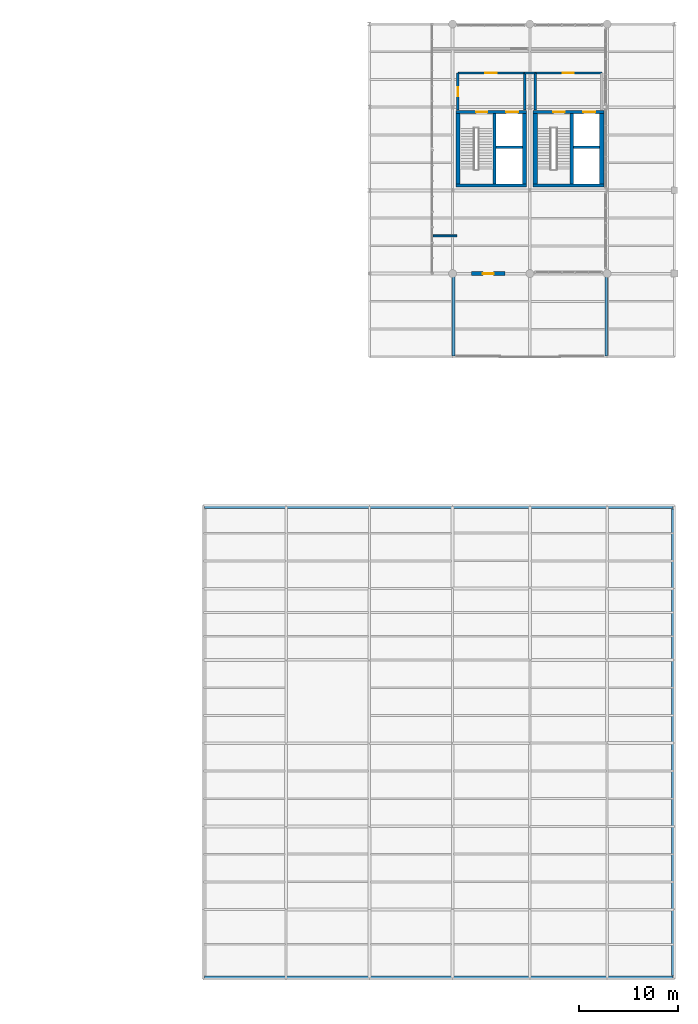
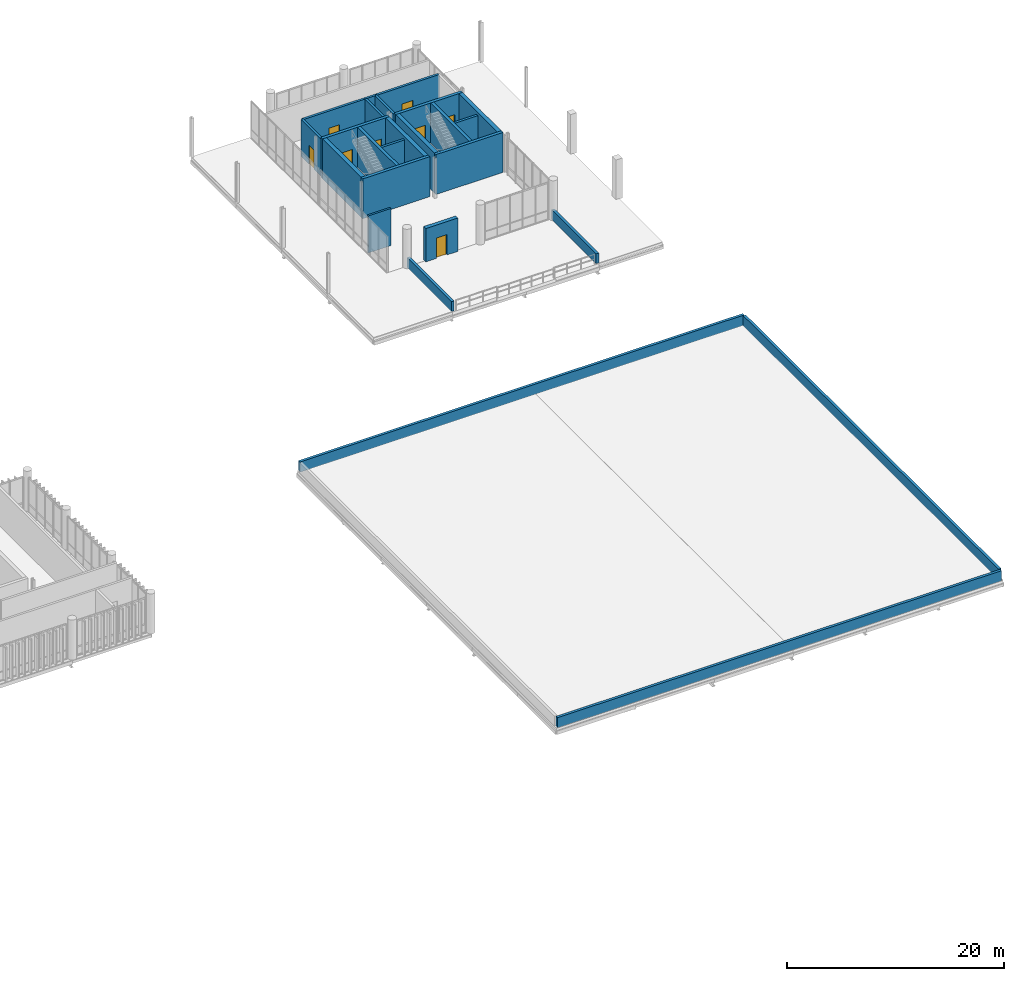
# One storey, part 59 of 68: 25 walls, 8 doors, 8 openings.
"""IFC4 building model written with IfcOpenShell, lengths in metres."""

import ifcopenshell
import ifcopenshell.guid

model = None  # the IFC model being written
_history = None  # IfcOwnerHistory: only IFC2X3 demands one
_inside = {}  # id of a spatial element -> (the spatial element, [elements in it])
_under = {}  # id of a project, library or spatial element -> (it, [spatial elements below it])
_declared = {}  # id of a project -> (the project, [libraries it declares])
_typed = {}  # id of a type object -> (the type object, [elements of that type])
_made_of = {}  # id of a material, layer set ... -> (it, [elements and type objects made of it])


def new_model(schema):
    """Start an empty IFC model of exactly this schema.

    Asked for "IFC4X3", IfcOpenShell would pick the latest addendum, in which some entities
    have other attributes; the version numbers below select the first issue.
    IFC2X3 requires an IfcOwnerHistory on every rooted entity: one is made here for all.
    """
    global model, _history
    if schema == "IFC4X3":
        model = ifcopenshell.file(schema_version=(4, 3, 0, 0))
    else:
        model = ifcopenshell.file(schema=schema)
    _inside.clear()
    _under.clear()
    _declared.clear()
    _typed.clear()
    _made_of.clear()
    _history = None
    if model.schema == "IFC2X3":
        org = make("IfcOrganization", Name="unknown")
        user = make(
            "IfcPersonAndOrganization",
            ThePerson=make("IfcPerson", FamilyName="unknown"),
            TheOrganization=org,
        )
        app = make(
            "IfcApplication",
            ApplicationDeveloper=org,
            Version="unknown",
            ApplicationFullName="unknown",
            ApplicationIdentifier="unknown",
        )
        _history = make(
            "IfcOwnerHistory",
            OwningUser=user,
            OwningApplication=app,
            ChangeAction="ADDED",
            CreationDate=0,
        )
    return model


def make(cls, **values):
    """One entity of the class cls with the attributes given. An attribute that is None is left unset."""
    return model.create_entity(
        cls, **{name: value for name, value in values.items() if value is not None}
    )


def rooted(cls, **values):
    """An entity with a GlobalId (a new one), such as an element, a storey or a relation."""
    return make(cls, GlobalId=ifcopenshell.guid.new(), OwnerHistory=_history, **values)


def si_unit(unit_type, name, prefix=None):
    """IfcSIUnit, for example si_unit("LENGTHUNIT", "METRE", prefix="MILLI")."""
    return make("IfcSIUnit", UnitType=unit_type, Prefix=prefix, Name=name)


def assignment(units):
    """IfcUnitAssignment: the units of a project."""
    return None if units is None else make("IfcUnitAssignment", Units=units)


def point(xyz):
    """IfcCartesianPoint."""
    return None if xyz is None else make("IfcCartesianPoint", Coordinates=xyz)


def direction(xyz):
    """IfcDirection."""
    return None if xyz is None else make("IfcDirection", DirectionRatios=xyz)


def frame(location, z_axis=None, x_axis=None):
    """IfcAxis2Placement3D, a coordinate frame: its origin and axes. An axis left out is left unset."""
    return make(
        "IfcAxis2Placement3D",
        Location=point(location),
        Axis=direction(z_axis),
        RefDirection=direction(x_axis),
    )


def frame_2d(location, x_axis=None):
    """IfcAxis2Placement2D, a coordinate frame in the plane: its origin and x axis."""
    return make(
        "IfcAxis2Placement2D", Location=point(location), RefDirection=direction(x_axis)
    )


def origin_with_axes():
    """The frame at (0, 0, 0) with the z axis (0, 0, 1) and the x axis (1, 0, 0) written out."""
    return frame((0.0, 0.0, 0.0), z_axis=(0.0, 0.0, 1.0), x_axis=(1.0, 0.0, 0.0))


def place(relative_to, where):
    """IfcLocalPlacement: puts the frame where relative to a parent placement (None: the world)."""
    return make(
        "IfcLocalPlacement", PlacementRelTo=relative_to, RelativePlacement=where
    )


def context(
    kind, dimensions, precision=None, world=None, true_north=None, identifier=None
):
    """IfcGeometricRepresentationContext, for example the 3D "Model" context."""
    return make(
        "IfcGeometricRepresentationContext",
        ContextIdentifier=identifier,
        ContextType=kind,
        CoordinateSpaceDimension=dimensions,
        Precision=precision,
        WorldCoordinateSystem=world,
        TrueNorth=true_north,
    )


def subcontext(parent, identifier, kind, view, scale=None):
    """IfcGeometricRepresentationSubContext, for example "Body" below "Model"."""
    return make(
        "IfcGeometricRepresentationSubContext",
        ContextIdentifier=identifier,
        ContextType=kind,
        ParentContext=parent,
        TargetScale=scale,
        TargetView=view,
    )


def project(units=None, contexts=None):
    """IfcProject with its units and contexts."""
    return rooted(
        "IfcProject",
        Name="project",
        RepresentationContexts=contexts,
        UnitsInContext=assignment(units),
    )


def spatial(cls, under=None, at=None, **own):
    """A site, building, storey or space (cls), placed at a placement, below another one or the project."""
    s = rooted(cls, ObjectPlacement=at, **own)
    if under is not None:
        _under.setdefault(under.id(), (under, []))[1].append(s)
    return s


def profile(cls, at=None, kind="AREA", **sizes):
    """A parametric profile (cls). Its sizes go by their IFC names, for example OverallWidth=200.0."""
    return make(cls, ProfileType=kind, Position=at, **sizes)


def rectangle(**sizes):
    """IfcRectangleProfileDef."""
    return profile("IfcRectangleProfileDef", **sizes)


def extrude(swept, where, along, depth):
    """IfcExtrudedAreaSolid: the profile swept, set in the frame where, extruded along a direction by depth."""
    return make(
        "IfcExtrudedAreaSolid",
        SweptArea=swept,
        Position=where,
        ExtrudedDirection=direction(along),
        Depth=depth,
    )


def shape(context_of_items, identifier, shape_type, items):
    """IfcShapeRepresentation: the items that make up one representation, for example the "Body"."""
    return make(
        "IfcShapeRepresentation",
        ContextOfItems=context_of_items,
        RepresentationIdentifier=identifier,
        RepresentationType=shape_type,
        Items=items,
    )


def material(Name=None, Category=None):
    """IfcMaterial."""
    return make("IfcMaterial", Name=Name, Category=Category)


def layer(
    of_material, thickness, ventilated=None, Name=None, Category=None, Priority=None
):
    """IfcMaterialLayer: one layer of a wall or slab, of a material (None: an air gap)."""
    return make(
        "IfcMaterialLayer",
        Material=of_material,
        LayerThickness=thickness,
        IsVentilated=ventilated,
        Name=Name,
        Category=Category,
        Priority=Priority,
    )


def layer_set(layers, Name=None):
    """IfcMaterialLayerSet."""
    return make("IfcMaterialLayerSet", MaterialLayers=layers, LayerSetName=Name)


def made_of(thing, what):
    """Note that an element or type object is made of a material, layer set ...; save() writes the relation."""
    if what is not None:
        _made_of.setdefault(what.id(), (what, []))[1].append(thing)
    return thing


def type_object(cls, material=None, **own):
    """A type object (cls), such as IfcWallType, which elements share."""
    return made_of(rooted(cls, **own), material)


def element(
    cls,
    number,
    at=None,
    inside=None,
    cuts=None,
    type_object=None,
    material=None,
    context=None,
    identifier="Body",
    shape_type=None,
    held_by="IfcProductDefinitionShape",
    body=None,
    shapes=None,
    **own,
):
    """One element of the class cls, such as IfcWall. Its Tag is "e" and its number.

    at: its placement. inside: the storey or other place that contains it. cuts: it is an
    opening in that element (IfcRelVoidsElement). A single representation is given by context,
    identifier, shape_type and body (its items); several are given by shapes. held_by: the class
    of the entity that holds the representations. save() writes the other relations.
    """
    e = rooted(cls, Tag="e%d" % number, ObjectPlacement=at, **own)
    if body is not None:
        shapes = [shape(context, identifier, shape_type, body)]
    if shapes is not None:
        e.Representation = make(held_by, Representations=shapes)
    if inside is not None:
        _inside.setdefault(inside.id(), (inside, []))[1].append(e)
    if cuts is not None:
        rooted(
            "IfcRelVoidsElement", RelatingBuildingElement=cuts, RelatedOpeningElement=e
        )
    if type_object is not None:
        _typed.setdefault(type_object.id(), (type_object, []))[1].append(e)
    return made_of(e, material)


def fill(opening, filler):
    """IfcRelFillsElement: the door or window that sits in an opening."""
    return rooted(
        "IfcRelFillsElement",
        RelatingOpeningElement=opening,
        RelatedBuildingElement=filler,
    )


def aggregate(whole, parts):
    """IfcRelAggregates: a whole, such as a stair, and the parts it consists of."""
    return rooted("IfcRelAggregates", RelatingObject=whole, RelatedObjects=parts)


def save(model, path):
    """Write the relations noted so far, then the file.

    IfcRelAggregates (storeys below a building ...), IfcRelContainedInSpatialStructure (elements
    in a storey), IfcRelDefinesByType, IfcRelAssociatesMaterial and IfcRelDeclares: one each for
    every whole, place, type object, material and project.
    """
    for whole, parts in _under.values():
        aggregate(whole, parts)
    for where, things in _inside.values():
        rooted(
            "IfcRelContainedInSpatialStructure",
            RelatedElements=things,
            RelatingStructure=where,
        )
    for kind, things in _typed.values():
        rooted("IfcRelDefinesByType", RelatedObjects=things, RelatingType=kind)
    for what, things in _made_of.values():
        rooted("IfcRelAssociatesMaterial", RelatedObjects=things, RelatingMaterial=what)
    for by, libraries in _declared.values():
        rooted("IfcRelDeclares", RelatingContext=by, RelatedDefinitions=libraries)
    model.write(path)


model = new_model("IFC4")

# Units and contexts
model_context = context("Model", 3, precision=1e-05, world=origin_with_axes(), true_north=direction((0.0, 1.0)))
body_context = subcontext(model_context, "Body", "Model", "MODEL_VIEW")
ifc_project = project(units=[si_unit("LENGTHUNIT", "METRE"), si_unit("AREAUNIT", "SQUARE_METRE"), si_unit("VOLUMEUNIT", "CUBIC_METRE"), si_unit("PLANEANGLEUNIT", "RADIAN"), si_unit("MASSUNIT", "GRAM", prefix="KILO"), si_unit("THERMODYNAMICTEMPERATUREUNIT", "KELVIN")], contexts=[model_context])

# Site, building, storey
site_placement = place(None, origin_with_axes())
site = spatial("IfcSite", under=ifc_project, at=site_placement, CompositionType="ELEMENT")
building_placement = place(site_placement, origin_with_axes())
building = spatial("IfcBuilding", under=site, at=building_placement, Name="Montbau Bow Law Courts", CompositionType="ELEMENT")
storey_placement = place(building_placement, frame((0.0, 0.0, 20.4), z_axis=(0.0, 0.0, 1.0), x_axis=(1.0, 0.0, 0.0)))
storey = spatial("IfcBuildingStorey", under=building, at=storey_placement, Name="L04", CompositionType="ELEMENT", Elevation=20.4)

# Walls
ifc_material_1 = material(Name="Concrete CSA A23.1 f'c 45 MPa", Category="concrete")
ifc_layer_1 = layer(ifc_material_1, 0.42, Name="Shear Wall", Category="concrete")
ifc_layer_set_1 = layer_set([ifc_layer_1], Name="Concrete CSA A23.1 f'c 45 MPa")
wall_type_1 = type_object("IfcWallType", Name="W-COR-03", PredefinedType="SHEAR", material=ifc_layer_set_1)
for number, where, z_axis, x_axis, name in (
    (1, (154.26, 87.04, 20.4), (0.0, 0.0, 1.0), (0.0, 1.0, 0.0), "WC-L04-0321:wal_0388"),
    (2, (147.54, 94.16, 20.4), (0.0, 0.0, 1.0), (0.0, -1.0, 0.0), "WC-L04-0322:wal_0389"),
    (3, (162.06, 87.04, 20.4), (0.0, 0.0, 1.0), (0.0, 1.0, 0.0), "WC-L04-0424:wal_0491"),
    (4, (155.34, 94.16, 20.4), (0.0, 0.0, 1.0), (0.0, -1.0, 0.0), "WC-L04-0425:wal_0492"),
):
    element("IfcWall", number, at=place(None, frame(where, z_axis=z_axis, x_axis=x_axis)), inside=storey, type_object=wall_type_1, Name=name, PredefinedType="SHEAR", context=body_context, shape_type="SweptSolid", body=[
        extrude(rectangle(XDim=7.11999999999999, YDim=0.42, at=frame_2d((3.56, 0.0), x_axis=(1.0, 0.0))), origin_with_axes(), (0.0, 0.0, 1.0), 4.5),
    ])
ifc_layer_2 = layer(ifc_material_1, 0.32, Name="Shear Wall", Category="concrete")
ifc_layer_set_2 = layer_set([ifc_layer_2], Name="Concrete CSA A23.1 f'c 45 MPa")
wall_type_2 = type_object("IfcWallType", Name="W-COR-05", PredefinedType="SHEAR", material=ifc_layer_set_2)
wall_1_placement = place(None, frame((147.33, 86.88, 20.4), z_axis=(0.0, 0.0, 1.0), x_axis=(1.0, 0.0, 0.0)))
element("IfcWall", 5, at=wall_1_placement, inside=storey, type_object=wall_type_2, Name="WC-L04-0319:wal_0386", PredefinedType="SHEAR", context=body_context, shape_type="SweptSolid", body=[
    extrude(rectangle(XDim=7.139999999999986, YDim=0.32, at=frame_2d((3.57, 0.0), x_axis=(1.0, 0.0))), origin_with_axes(), (0.0, 0.0, 1.0), 4.5),
])

# Wall, openings, doors
wall_2_placement = place(None, frame((154.47, 94.32, 20.4), z_axis=(0.0, 0.0, 1.0), x_axis=(-1.0, 0.0, 0.0)))
wall_2 = element("IfcWall", 6, at=wall_2_placement, inside=storey, type_object=wall_type_2, Name="WC-L04-0320:wal_0387", PredefinedType="SHEAR", context=body_context, shape_type="SweptSolid", body=[
    extrude(rectangle(XDim=7.139999999999986, YDim=0.32, at=frame_2d((3.57, 0.0), x_axis=(1.0, 0.0))), origin_with_axes(), (0.0, 0.0, 1.0), 4.5),
])
opening_1_placement = place(None, frame((149.95, 94.32, 20.4), z_axis=(0.0, 0.0, 1.0), x_axis=(-1.0, 0.0, 0.0)))
opening_1 = element("IfcOpeningElement", 7, at=opening_1_placement, cuts=wall_2, Name="OP-D-L04-ST-P2", PredefinedType="OPENING", context=body_context, shape_type="SweptSolid", body=[
    extrude(rectangle(XDim=1.14, YDim=2.18, at=frame_2d((0.0, 1.09), x_axis=(1.0, 0.0))), frame((0.0, 0.17, 0.0), z_axis=(0.0, -1.0, 0.0), x_axis=(1.0, 0.0, 0.0)), (0.0, 0.0, 1.0), 0.34),
])
opening_2_placement = place(None, frame((153.01, 94.32, 20.4), z_axis=(0.0, 0.0, 1.0), x_axis=(-1.0, 0.0, 0.0)))
opening_2 = element("IfcOpeningElement", 8, at=opening_2_placement, cuts=wall_2, Name="OP-LD-L04-EL-FF1", PredefinedType="OPENING", context=body_context, shape_type="SweptSolid", body=[
    extrude(rectangle(XDim=1.22, YDim=2.28, at=frame_2d((0.0, 1.14), x_axis=(1.0, 0.0))), frame((0.0, 0.17, 0.0), z_axis=(0.0, -1.0, 0.0), x_axis=(1.0, 0.0, 0.0)), (0.0, 0.0, 1.0), 0.34),
])
ifc_material_2 = material(Name="1.5 h Fire-Rated Hollow-Metal Exit Stair Door", Category="steel")
door_type_1 = type_object("IfcDoorType", Name="D-ST-01", OperationType="NOTDEFINED", ParameterTakesPrecedence=False, PredefinedType="DOOR", material=ifc_material_2)
door_1_placement = place(None, frame((149.95, 94.32, 20.4), z_axis=(0.0, 0.0, 1.0), x_axis=(1.0, 0.0, 0.0)))
door_1 = element("IfcDoor", 9, at=door_1_placement, inside=storey, type_object=door_type_1, Name="D-L04-ST-P2:dor_0159", OperationType="SINGLE_SWING_RIGHT", OverallHeight=2.18, OverallWidth=1.14, PredefinedType="DOOR", context=body_context, shape_type="SweptSolid", body=[
    extrude(rectangle(XDim=1.14, YDim=2.18, at=frame_2d((0.0, 1.09), x_axis=(1.0, 0.0))), frame((0.0, 0.04, 0.0), z_axis=(0.0, -1.0, 0.0), x_axis=(1.0, 0.0, 0.0)), (0.0, 0.0, 1.0), 0.08),
])
fill(opening_1, door_1)
ifc_material_3 = material(Name="CSA B44 Firefighters Elevator Landing Door", Category="steel")
door_type_2 = type_object("IfcDoorType", Name="LD-FFE-01", OperationType="NOTDEFINED", ParameterTakesPrecedence=False, PredefinedType="DOOR", material=ifc_material_3)
door_2_placement = place(None, frame((153.01, 94.32, 20.4), z_axis=(0.0, 0.0, 1.0), x_axis=(1.0, 0.0, 0.0)))
door_2 = element("IfcDoor", 10, at=door_2_placement, inside=storey, type_object=door_type_2, Name="LD-L04-EL-FF1:dor_0160", OperationType="SLIDING_TO_LEFT", OverallHeight=2.28, OverallWidth=1.22, PredefinedType="DOOR", context=body_context, shape_type="SweptSolid", body=[
    extrude(rectangle(XDim=1.22, YDim=2.28, at=frame_2d((0.0, 1.14), x_axis=(1.0, 0.0))), frame((0.0, 0.04, 0.0), z_axis=(0.0, -1.0, 0.0), x_axis=(1.0, 0.0, 0.0)), (0.0, 0.0, 1.0), 0.08),
])
fill(opening_2, door_2)

# Walls
wall_3_placement = place(None, frame((151.22, 87.04, 20.4), z_axis=(0.0, 0.0, 1.0), x_axis=(0.0, 1.0, 0.0)))
element("IfcWall", 11, at=wall_3_placement, inside=storey, type_object=wall_type_2, Name="WS-L04-0323:wal_0390", PredefinedType="SHEAR", context=body_context, shape_type="SweptSolid", body=[
    extrude(rectangle(XDim=7.11999999999999, YDim=0.32, at=frame_2d((3.56, 0.0), x_axis=(1.0, 0.0))), origin_with_axes(), (0.0, 0.0, 1.0), 4.5),
])
wall_4_placement = place(None, frame((155.13, 86.88, 20.4), z_axis=(0.0, 0.0, 1.0), x_axis=(1.0, 0.0, 0.0)))
element("IfcWall", 12, at=wall_4_placement, inside=storey, type_object=wall_type_2, Name="WC-L04-0422:wal_0489", PredefinedType="SHEAR", context=body_context, shape_type="SweptSolid", body=[
    extrude(rectangle(XDim=7.140000000000015, YDim=0.32, at=frame_2d((3.57, 0.0), x_axis=(1.0, 0.0))), origin_with_axes(), (0.0, 0.0, 1.0), 4.5),
])

# Wall, openings, doors
wall_5_placement = place(None, frame((162.27, 94.32, 20.4), z_axis=(0.0, 0.0, 1.0), x_axis=(-1.0, 0.0, 0.0)))
wall_5 = element("IfcWall", 13, at=wall_5_placement, inside=storey, type_object=wall_type_2, Name="WC-L04-0423:wal_0490", PredefinedType="SHEAR", context=body_context, shape_type="SweptSolid", body=[
    extrude(rectangle(XDim=7.140000000000015, YDim=0.32, at=frame_2d((3.57, 0.0), x_axis=(1.0, 0.0))), origin_with_axes(), (0.0, 0.0, 1.0), 4.5),
])
opening_3_placement = place(None, frame((157.75, 94.32, 20.4), z_axis=(0.0, 0.0, 1.0), x_axis=(-1.0, 0.0, 0.0)))
opening_3 = element("IfcOpeningElement", 14, at=opening_3_placement, cuts=wall_5, Name="OP-D-L04-ST-J2", PredefinedType="OPENING", context=body_context, shape_type="SweptSolid", body=[
    extrude(rectangle(XDim=1.14, YDim=2.18, at=frame_2d((0.0, 1.09), x_axis=(1.0, 0.0))), frame((0.0, 0.17, 0.0), z_axis=(0.0, -1.0, 0.0), x_axis=(1.0, 0.0, 0.0)), (0.0, 0.0, 1.0), 0.34),
])
opening_4_placement = place(None, frame((160.81, 94.32, 20.4), z_axis=(0.0, 0.0, 1.0), x_axis=(-1.0, 0.0, 0.0)))
opening_4 = element("IfcOpeningElement", 15, at=opening_4_placement, cuts=wall_5, Name="OP-LD-L04-EL-FF2", PredefinedType="OPENING", context=body_context, shape_type="SweptSolid", body=[
    extrude(rectangle(XDim=1.22, YDim=2.28, at=frame_2d((0.0, 1.14), x_axis=(1.0, 0.0))), frame((0.0, 0.17, 0.0), z_axis=(0.0, -1.0, 0.0), x_axis=(1.0, 0.0, 0.0)), (0.0, 0.0, 1.0), 0.34),
])
door_3_placement = place(None, frame((157.75, 94.32, 20.4), z_axis=(0.0, 0.0, 1.0), x_axis=(1.0, 0.0, 0.0)))
door_3 = element("IfcDoor", 16, at=door_3_placement, inside=storey, type_object=door_type_1, Name="D-L04-ST-J2:dor_0197", OperationType="SINGLE_SWING_RIGHT", OverallHeight=2.18, OverallWidth=1.14, PredefinedType="DOOR", context=body_context, shape_type="SweptSolid", body=[
    extrude(rectangle(XDim=1.14, YDim=2.18, at=frame_2d((0.0, 1.09), x_axis=(1.0, 0.0))), frame((0.0, 0.04, 0.0), z_axis=(0.0, -1.0, 0.0), x_axis=(1.0, 0.0, 0.0)), (0.0, 0.0, 1.0), 0.08),
])
fill(opening_3, door_3)
door_4_placement = place(None, frame((160.81, 94.32, 20.4), z_axis=(0.0, 0.0, 1.0), x_axis=(1.0, 0.0, 0.0)))
door_4 = element("IfcDoor", 17, at=door_4_placement, inside=storey, type_object=door_type_2, Name="LD-L04-EL-FF2:dor_0198", OperationType="SLIDING_TO_LEFT", OverallHeight=2.28, OverallWidth=1.22, PredefinedType="DOOR", context=body_context, shape_type="SweptSolid", body=[
    extrude(rectangle(XDim=1.22, YDim=2.28, at=frame_2d((0.0, 1.14), x_axis=(1.0, 0.0))), frame((0.0, 0.04, 0.0), z_axis=(0.0, -1.0, 0.0), x_axis=(1.0, 0.0, 0.0)), (0.0, 0.0, 1.0), 0.08),
])
fill(opening_4, door_4)

# Wall
wall_6_placement = place(None, frame((159.02, 87.04, 20.4), z_axis=(0.0, 0.0, 1.0), x_axis=(0.0, 1.0, 0.0)))
element("IfcWall", 18, at=wall_6_placement, inside=storey, type_object=wall_type_2, Name="WS-L04-0426:wal_0493", PredefinedType="SHEAR", context=body_context, shape_type="SweptSolid", body=[
    extrude(rectangle(XDim=7.11999999999999, YDim=0.32, at=frame_2d((3.56, 0.0), x_axis=(1.0, 0.0))), origin_with_axes(), (0.0, 0.0, 1.0), 4.5),
])

# Wall, opening, door
ifc_material_4 = material(Name="Polychrome Glazed Ceramic Rainscreen Insulated Wall", Category="masonry")
ifc_layer_3 = layer(ifc_material_4, 0.4, Name="Solid Wall", Category="masonry")
ifc_layer_set_3 = layer_set([ifc_layer_3], Name="Polychrome Glazed Ceramic Rainscreen Insulated Wall")
wall_type_3 = type_object("IfcWallType", Name="W-EXT-04", PredefinedType="SOLIDWALL", material=ifc_layer_set_3)
wall_7_placement = place(None, frame((148.9, 78.0, 20.4), z_axis=(0.0, 0.0, 1.0), x_axis=(1.0, 0.0, 0.0)))
wall_7 = element("IfcWall", 19, at=wall_7_placement, inside=storey, type_object=wall_type_3, Name="WE-L04-035:wal_0052", PredefinedType="SOLIDWALL", context=body_context, shape_type="SweptSolid", body=[
    extrude(rectangle(XDim=3.4000000000000057, YDim=0.4, at=frame_2d((1.7, 0.0), x_axis=(1.0, 0.0))), origin_with_axes(), (0.0, 0.0, 1.0), 3.764),
])
opening_5_placement = place(None, frame((150.6, 78.0, 20.4), z_axis=(0.0, 0.0, 1.0), x_axis=(1.0, 0.0, 0.0)))
opening_5 = element("IfcOpeningElement", 20, at=opening_5_placement, cuts=wall_7, Name="OP-D-TER-04", PredefinedType="OPENING", context=body_context, shape_type="SweptSolid", body=[
    extrude(rectangle(XDim=1.1, YDim=2.3, at=frame_2d((0.0, 1.15), x_axis=(1.0, 0.0))), frame((0.0, 0.21, 0.0), z_axis=(0.0, -1.0, 0.0), x_axis=(1.0, 0.0, 0.0)), (0.0, 0.0, 1.0), 0.42),
])
ifc_material_5 = material(Name="Thermally Broken Glazed Terrace Access Door", Category="aluminium")
door_type_3 = type_object("IfcDoorType", Name="D-EXT-06", OperationType="NOTDEFINED", ParameterTakesPrecedence=False, PredefinedType="DOOR", material=ifc_material_5)
door_5_placement = place(None, frame((150.6, 78.0, 20.4), z_axis=(0.0, 0.0, 1.0), x_axis=(1.0, 0.0, 0.0)))
door_5 = element("IfcDoor", 21, at=door_5_placement, inside=storey, type_object=door_type_3, Name="D-TER-04:dor_0027", OperationType="SINGLE_SWING_LEFT", OverallHeight=2.3, OverallWidth=1.1, PredefinedType="DOOR", context=body_context, shape_type="SweptSolid", body=[
    extrude(rectangle(XDim=1.1, YDim=2.3, at=frame_2d((0.0, 1.15), x_axis=(1.0, 0.0))), frame((0.0, 0.04, 0.0), z_axis=(0.0, -1.0, 0.0), x_axis=(1.0, 0.0, 0.0)), (0.0, 0.0, 1.0), 0.08),
])
fill(opening_5, door_5)

# Walls
ifc_material_6 = material(Name="Insulated Terracotta-Coping Terrace Parapet Assembly", Category="masonry")
ifc_layer_4 = layer(ifc_material_6, 0.28, Name="Parapet", Category="masonry")
ifc_layer_set_4 = layer_set([ifc_layer_4], Name="Insulated Terracotta-Coping Terrace Parapet Assembly")
wall_type_4 = type_object("IfcWallType", Name="W-PAR-02", PredefinedType="PARAPET", material=ifc_layer_set_4)
for number, where, z_axis, x_axis, name in (
    (22, (147.1, 69.7, 20.4), (0.0, 0.0, 1.0), (0.0, 1.0, 0.0), "PAR-TER-L04-V5-1:par_0004"),
    (23, (162.5, 77.896, 20.4), (0.0, 0.0, 1.0), (0.0, -1.0, 0.0), "PAR-TER-L04-V5-3:par_0005"),
):
    element("IfcWall", number, at=place(None, frame(where, z_axis=z_axis, x_axis=x_axis)), inside=storey, type_object=wall_type_4, Name=name, PredefinedType="PARAPET", context=body_context, shape_type="SweptSolid", body=[
        extrude(rectangle(XDim=8.195999999999998, YDim=0.28, at=frame_2d((4.098, 0.0), x_axis=(1.0, 0.0))), origin_with_axes(), (0.0, 0.0, 1.0), 1.12),
    ])
wall_8_placement = place(None, frame((121.95, 6.95, 20.4), z_axis=(0.0, 0.0, 1.0), x_axis=(1.0, 0.0, 0.0)))
element("IfcWall", 24, at=wall_8_placement, inside=storey, type_object=wall_type_4, Name="PAR-L04-08:par_0017", PredefinedType="PARAPET", context=body_context, shape_type="SweptSolid", body=[
    extrude(rectangle(XDim=47.3, YDim=0.28, at=frame_2d((23.65, 0.0), x_axis=(1.0, 0.0))), origin_with_axes(), (0.0, 0.0, 1.0), 1.15),
])
wall_9_placement = place(None, frame((169.25, 7.15, 20.4), z_axis=(0.0, 0.0, 1.0), x_axis=(0.0, 1.0, 0.0)))
element("IfcWall", 25, at=wall_9_placement, inside=storey, type_object=wall_type_4, Name="PAR-L04-09:par_0018", PredefinedType="PARAPET", context=body_context, shape_type="SweptSolid", body=[
    extrude(rectangle(XDim=47.1, YDim=0.28, at=frame_2d((23.55, 0.0), x_axis=(1.0, 0.0))), origin_with_axes(), (0.0, 0.0, 1.0), 1.15),
])
wall_10_placement = place(None, frame((169.25, 54.45, 20.4), z_axis=(0.0, 0.0, 1.0), x_axis=(-1.0, 0.0, 0.0)))
element("IfcWall", 26, at=wall_10_placement, inside=storey, type_object=wall_type_4, Name="PAR-L04-10:par_0019", PredefinedType="PARAPET", context=body_context, shape_type="SweptSolid", body=[
    extrude(rectangle(XDim=47.3, YDim=0.28, at=frame_2d((23.65, 0.0), x_axis=(1.0, 0.0))), origin_with_axes(), (0.0, 0.0, 1.0), 1.15),
])
ifc_material_7 = material(Name="2 h Shaft and Exit-Passage Fire Separation Partition", Category="gypsum")
ifc_layer_5 = layer(ifc_material_7, 0.25, Name="Partition", Category="gypsum")
ifc_layer_set_5 = layer_set([ifc_layer_5], Name="2 h Shaft and Exit-Passage Fire Separation Partition")
wall_type_5 = type_object("IfcWallType", Name="W-PRT-01", PredefinedType="PARTITIONING", material=ifc_layer_set_5)
wall_11_placement = place(None, frame((151.38, 90.749, 20.4), z_axis=(0.0, 0.0, 1.0), x_axis=(1.0, 0.0, 0.0)))
element("IfcWall", 27, at=wall_11_placement, inside=storey, type_object=wall_type_5, Name="WS-L04-0324:wal_0391", PredefinedType="PARTITIONING", context=body_context, shape_type="SweptSolid", body=[
    extrude(rectangle(XDim=2.670000000000016, YDim=0.25, at=frame_2d((1.335, 0.0), x_axis=(1.0, 0.0))), origin_with_axes(), (0.0, 0.0, 1.0), 4.18),
])

# Wall, opening, door
wall_12_placement = place(None, frame((154.26, 98.25, 20.4), z_axis=(0.0, 0.0, 1.0), x_axis=(-1.0, 0.0, 0.0)))
wall_12 = element("IfcWall", 28, at=wall_12_placement, inside=storey, type_object=wall_type_5, Name="WFF-L04-0325:wal_0392", PredefinedType="PARTITIONING", context=body_context, shape_type="SweptSolid", body=[
    extrude(rectangle(XDim=6.719999999999999, YDim=0.25, at=frame_2d((3.36, 0.0), x_axis=(1.0, 0.0))), origin_with_axes(), (0.0, 0.0, 1.0), 4.18),
])
opening_6_placement = place(None, frame((150.875, 98.25, 20.4), z_axis=(0.0, 0.0, 1.0), x_axis=(-1.0, 0.0, 0.0)))
opening_6 = element("IfcOpeningElement", 29, at=opening_6_placement, cuts=wall_12, Name="OP-D-L04-FFL5", PredefinedType="OPENING", context=body_context, shape_type="SweptSolid", body=[
    extrude(rectangle(XDim=1.15, YDim=2.25, at=frame_2d((0.0, 1.125), x_axis=(1.0, 0.0))), frame((0.0, 0.135, 0.0), z_axis=(0.0, -1.0, 0.0), x_axis=(1.0, 0.0, 0.0)), (0.0, 0.0, 1.0), 0.27),
])
ifc_material_8 = material(Name="1.5 h Smoke-Sealed Firefighters Lobby Door", Category="steel")
door_type_4 = type_object("IfcDoorType", Name="D-FFL-01", OperationType="NOTDEFINED", ParameterTakesPrecedence=False, PredefinedType="DOOR", material=ifc_material_8)
door_6_placement = place(None, frame((150.875, 98.25, 20.4), z_axis=(0.0, 0.0, 1.0), x_axis=(1.0, 0.0, 0.0)))
door_6 = element("IfcDoor", 30, at=door_6_placement, inside=storey, type_object=door_type_4, Name="D-L04-FFL5:dor_0161", OperationType="SINGLE_SWING_RIGHT", OverallHeight=2.25, OverallWidth=1.15, PredefinedType="DOOR", context=body_context, shape_type="SweptSolid", body=[
    extrude(rectangle(XDim=1.15, YDim=2.25, at=frame_2d((0.0, 1.125), x_axis=(1.0, 0.0))), frame((0.0, 0.04, 0.0), z_axis=(0.0, -1.0, 0.0), x_axis=(1.0, 0.0, 0.0)), (0.0, 0.0, 1.0), 0.08),
])
fill(opening_6, door_6)

wall_13_placement = place(None, frame((147.54, 94.5, 20.4), z_axis=(0.0, 0.0, 1.0), x_axis=(0.0, 1.0, 0.0)))
wall_13 = element("IfcWall", 31, at=wall_13_placement, inside=storey, type_object=wall_type_5, Name="WFF-L04-0326:wal_0393", PredefinedType="PARTITIONING", context=body_context, shape_type="SweptSolid", body=[
    extrude(rectangle(XDim=3.75, YDim=0.25, at=frame_2d((1.875, 0.0), x_axis=(1.0, 0.0))), origin_with_axes(), (0.0, 0.0, 1.0), 4.18),
])
opening_7_placement = place(None, frame((147.54, 96.375, 20.4), z_axis=(0.0, 0.0, 1.0), x_axis=(0.0, 1.0, 0.0)))
opening_7 = element("IfcOpeningElement", 32, at=opening_7_placement, cuts=wall_13, Name="OP-D-L04-353", PredefinedType="OPENING", context=body_context, shape_type="SweptSolid", body=[
    extrude(rectangle(XDim=0.92, YDim=2.14, at=frame_2d((0.0, 1.07), x_axis=(1.0, 0.0))), frame((0.0, 0.135, 0.0), z_axis=(0.0, -1.0, 0.0), x_axis=(1.0, 0.0, 0.0)), (0.0, 0.0, 1.0), 0.27),
])
ifc_material_9 = material(Name="Judicial Law Clerk and Registry Office Oak Door", Category="wood")
door_type_5 = type_object("IfcDoorType", Name="D-OFF-01", OperationType="NOTDEFINED", ParameterTakesPrecedence=False, PredefinedType="DOOR", material=ifc_material_9)
door_7_placement = place(None, frame((147.54, 96.375, 20.4), z_axis=(0.0, 0.0, 1.0), x_axis=(0.0, 1.0, 0.0)))
door_7 = element("IfcDoor", 33, at=door_7_placement, inside=storey, type_object=door_type_5, Name="D-L04-353:dor_0388", OperationType="SINGLE_SWING_LEFT", OverallHeight=2.14, OverallWidth=0.92, PredefinedType="DOOR", context=body_context, shape_type="SweptSolid", body=[
    extrude(rectangle(XDim=0.92, YDim=2.14, at=frame_2d((0.0, 1.07), x_axis=(1.0, 0.0))), frame((0.0, 0.04, 0.0), z_axis=(0.0, -1.0, 0.0), x_axis=(1.0, 0.0, 0.0)), (0.0, 0.0, 1.0), 0.08),
])
fill(opening_7, door_7)

# Walls
wall_14_placement = place(None, frame((154.26, 94.5, 20.4), z_axis=(0.0, 0.0, 1.0), x_axis=(0.0, 1.0, 0.0)))
element("IfcWall", 34, at=wall_14_placement, inside=storey, type_object=wall_type_5, Name="WFF-L04-0327:wal_0394", PredefinedType="PARTITIONING", context=body_context, shape_type="SweptSolid", body=[
    extrude(rectangle(XDim=3.75, YDim=0.25, at=frame_2d((1.875, 0.0), x_axis=(1.0, 0.0))), origin_with_axes(), (0.0, 0.0, 1.0), 4.18),
])
wall_15_placement = place(None, frame((159.18, 90.749, 20.4), z_axis=(0.0, 0.0, 1.0), x_axis=(1.0, 0.0, 0.0)))
element("IfcWall", 35, at=wall_15_placement, inside=storey, type_object=wall_type_5, Name="WS-L04-0427:wal_0494", PredefinedType="PARTITIONING", context=body_context, shape_type="SweptSolid", body=[
    extrude(rectangle(XDim=2.6699999999999875, YDim=0.25, at=frame_2d((1.335, 0.0), x_axis=(1.0, 0.0))), origin_with_axes(), (0.0, 0.0, 1.0), 4.18),
])

# Wall, opening, door
wall_16_placement = place(None, frame((162.06, 98.25, 20.4), z_axis=(0.0, 0.0, 1.0), x_axis=(-1.0, 0.0, 0.0)))
wall_16 = element("IfcWall", 36, at=wall_16_placement, inside=storey, type_object=wall_type_5, Name="WFF-L04-0428:wal_0495", PredefinedType="PARTITIONING", context=body_context, shape_type="SweptSolid", body=[
    extrude(rectangle(XDim=6.719999999999999, YDim=0.25, at=frame_2d((3.36, 0.0), x_axis=(1.0, 0.0))), origin_with_axes(), (0.0, 0.0, 1.0), 4.18),
])
opening_8_placement = place(None, frame((158.675, 98.25, 20.4), z_axis=(0.0, 0.0, 1.0), x_axis=(-1.0, 0.0, 0.0)))
opening_8 = element("IfcOpeningElement", 37, at=opening_8_placement, cuts=wall_16, Name="OP-D-L04-FFL6", PredefinedType="OPENING", context=body_context, shape_type="SweptSolid", body=[
    extrude(rectangle(XDim=1.15, YDim=2.25, at=frame_2d((0.0, 1.125), x_axis=(1.0, 0.0))), frame((0.0, 0.135, 0.0), z_axis=(0.0, -1.0, 0.0), x_axis=(1.0, 0.0, 0.0)), (0.0, 0.0, 1.0), 0.27),
])
door_8_placement = place(None, frame((158.675, 98.25, 20.4), z_axis=(0.0, 0.0, 1.0), x_axis=(1.0, 0.0, 0.0)))
door_8 = element("IfcDoor", 38, at=door_8_placement, inside=storey, type_object=door_type_4, Name="D-L04-FFL6:dor_0199", OperationType="SINGLE_SWING_LEFT", OverallHeight=2.25, OverallWidth=1.15, PredefinedType="DOOR", context=body_context, shape_type="SweptSolid", body=[
    extrude(rectangle(XDim=1.15, YDim=2.25, at=frame_2d((0.0, 1.125), x_axis=(1.0, 0.0))), frame((0.0, 0.04, 0.0), z_axis=(0.0, -1.0, 0.0), x_axis=(1.0, 0.0, 0.0)), (0.0, 0.0, 1.0), 0.08),
])
fill(opening_8, door_8)

# Walls
wall_17_placement = place(None, frame((155.34, 94.5, 20.4), z_axis=(0.0, 0.0, 1.0), x_axis=(0.0, 1.0, 0.0)))
element("IfcWall", 39, at=wall_17_placement, inside=storey, type_object=wall_type_5, Name="WFF-L04-0429:wal_0496", PredefinedType="PARTITIONING", context=body_context, shape_type="SweptSolid", body=[
    extrude(rectangle(XDim=3.75, YDim=0.25, at=frame_2d((1.875, 0.0), x_axis=(1.0, 0.0))), origin_with_axes(), (0.0, 0.0, 1.0), 4.18),
])
wall_18_placement = place(None, frame((154.26, 98.25, 20.4), z_axis=(0.0, 0.0, 1.0), x_axis=(1.0, 0.0, 0.0)))
element("IfcWall", 40, at=wall_18_placement, inside=storey, type_object=wall_type_5, Name="WFF-L04-0548:wal_0615", PredefinedType="PARTITIONING", context=body_context, shape_type="SweptSolid", body=[
    extrude(rectangle(XDim=1.0800000000000125, YDim=0.25, at=frame_2d((0.54, 0.0), x_axis=(1.0, 0.0))), origin_with_axes(), (0.0, 0.0, 1.0), 4.18),
])
ifc_material_10 = material(Name="STC-55 Jury Deliberation Security Partition", Category="gypsum")
ifc_layer_6 = layer(ifc_material_10, 0.2, Name="Partition", Category="gypsum")
ifc_layer_set_6 = layer_set([ifc_layer_6], Name="STC-55 Jury Deliberation Security Partition")
wall_type_6 = type_object("IfcWallType", Name="W-PRT-03", PredefinedType="PARTITIONING", material=ifc_layer_set_6)
wall_19_placement = place(None, frame((145.02, 81.8, 20.4), z_axis=(0.0, 0.0, 1.0), x_axis=(1.0, 0.0, 0.0)))
element("IfcWall", 41, at=wall_19_placement, inside=storey, type_object=wall_type_6, Name="WCX-L04-0837:wal_0904", PredefinedType="PARTITIONING", context=body_context, shape_type="SweptSolid", body=[
    extrude(rectangle(XDim=2.4199999999999875, YDim=0.2, at=frame_2d((1.21, 0.0), x_axis=(1.0, 0.0))), origin_with_axes(), (0.0, 0.0, 1.0), 4.18),
])

save(model, "model.ifc")
